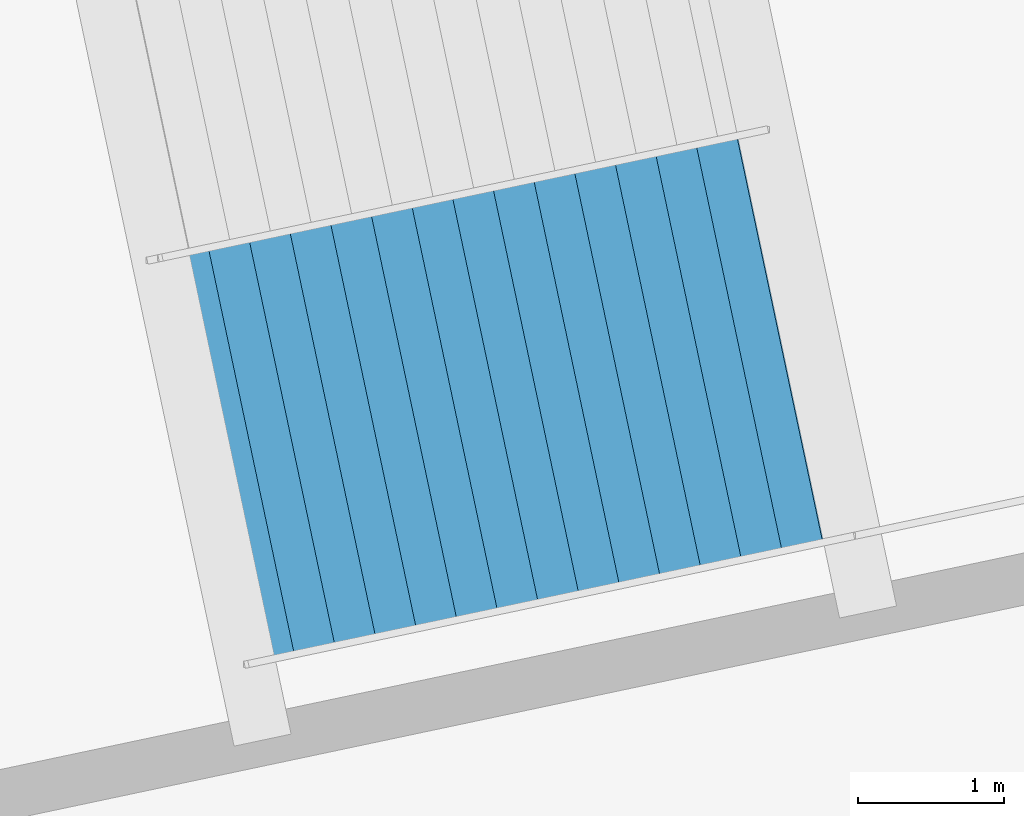
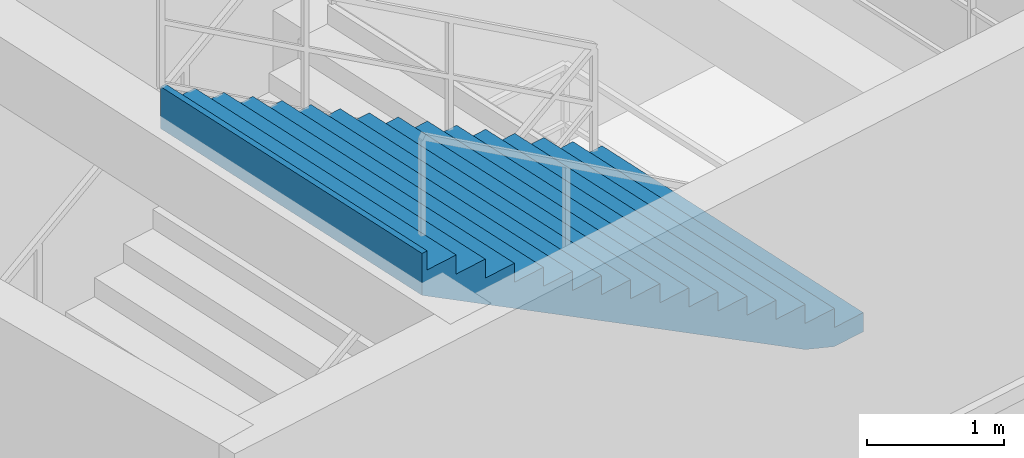
# One storey, part 149 of 186: 1 stair flight, 1 element without a shape of its own.
"""IFC4 building model written with IfcOpenShell, lengths in metres."""

from ifc_helpers import new_model, si_unit, direction, frame, origin, place, context, subcontext, project, spatial, polygons, material, type_object, element, aggregate, save


model = new_model("IFC4")

# Units and contexts
model_context = context("Model", 3, precision=1e-05, world=origin(), true_north=direction((0.0, 1.0)))
body_context = subcontext(model_context, "Body", "Model", "MODEL_VIEW")
ifc_project = project(units=[si_unit("LENGTHUNIT", "METRE"), si_unit("AREAUNIT", "SQUARE_METRE"), si_unit("VOLUMEUNIT", "CUBIC_METRE"), si_unit("PLANEANGLEUNIT", "RADIAN"), si_unit("MASSUNIT", "GRAM", prefix="KILO")], contexts=[model_context])

# Site, building, storey
site_placement = place(None, origin())
site = spatial("IfcSite", under=ifc_project, at=site_placement, CompositionType="ELEMENT")
building_placement = place(site_placement, origin())
building = spatial("IfcBuilding", under=site, at=building_placement, Name="Kazemori Nagisa Stadium", CompositionType="ELEMENT")
storey_placement = place(building_placement, frame((0.0, 0.0, 20.39990234375)))
storey = spatial("IfcBuildingStorey", under=building, at=storey_placement, Name="L04", CompositionType="ELEMENT", Elevation=20.39990234375)

# Stair, stair flight
ifc_material = material(Name="Concrete C36/45 (Fc36)", Category="concrete")
stair_type = type_object("IfcStairType", Name="Stair_CORE_32", PredefinedType="TWO_STRAIGHT_RUN_STAIR", material=ifc_material)
stair_placement = place(storey_placement, origin())
stair = element("IfcStair", 1, at=stair_placement, inside=storey, type_object=stair_type, Name="Exit stair ST06 L04", PredefinedType="TWO_STRAIGHT_RUN_STAIR")
stair_flight_type = type_object("IfcStairFlightType", Name="Flight_CORE_16", PredefinedType="STRAIGHT", material=ifc_material)
stair_flight_placement = place(storey_placement, frame((150.89306640625, 23.06591796875, 2.72021484375), z_axis=(0.0, 0.0, 1.0), x_axis=(-0.97834814647, -0.206965949612, 0.0)))
stair_flight = element("IfcStairFlight", 2, at=stair_flight_placement, type_object=stair_flight_type, Name="Exit stair ST06 L04 flight 2", NumberOfRisers=16, NumberOfTreads=15, PredefinedType="STRAIGHT", RiserHeight=0.17, TreadLength=0.285, context=body_context, shape_type="Tessellation", body=[
    polygons([(0.0, -1.425048828125, 0.0), (0.0, -1.425048828125, 0.169921875), (0.284912109375, -1.425048828125, 0.169921875), (0.284912109375, -1.425048828125, 0.340087890625), (0.570068359375, -1.425048828125, 0.340087890625), (0.570068359375, -1.425048828125, 0.510009765625), (0.85498046875, -1.425048828125, 0.510009765625), (0.85498046875, -1.425048828125, 0.679931640625), (1.139892578125, -1.425048828125, 0.679931640625), (1.139892578125, -1.425048828125, 0.85009765625), (1.425048828125, -1.425048828125, 0.85009765625), (1.425048828125, -1.425048828125, 1.02001953125), (1.7099609375, -1.425048828125, 1.02001953125), (1.7099609375, -1.425048828125, 1.18994140625), (1.9951171875, -1.425048828125, 1.18994140625), (1.9951171875, -1.425048828125, 1.360107421875), (2.280029296875, -1.425048828125, 1.360107421875), (2.280029296875, -1.425048828125, 1.530029296875), (2.56494140625, -1.425048828125, 1.530029296875), (2.56494140625, -1.425048828125, 1.699951171875), (2.85009765625, -1.425048828125, 1.699951171875), (2.85009765625, -1.425048828125, 1.8701171875), (3.135009765625, -1.425048828125, 1.8701171875), (3.135009765625, -1.425048828125, 2.0400390625), (3.419921875, -1.425048828125, 2.0400390625), (3.419921875, -1.425048828125, 2.2099609375), (3.705078125, -1.425048828125, 2.2099609375), (3.705078125, -1.425048828125, 2.3798828125), (3.989990234375, -1.425048828125, 2.3798828125), (3.989990234375, -1.425048828125, 2.550048828125), (4.27490234375, -1.425048828125, 2.550048828125), (4.27490234375, -1.425048828125, 2.719970703125), (4.324951171875, -1.425048828125, 2.719970703125), (4.324951171875, -1.425048828125, 2.346923828125), (4.27490234375, -1.425048828125, 2.317138671875), (3.989990234375, -1.425048828125, 2.147216796875), (3.705078125, -1.425048828125, 1.977294921875), (3.419921875, -1.425048828125, 1.80712890625), (3.135009765625, -1.425048828125, 1.63720703125), (2.85009765625, -1.425048828125, 1.46728515625), (2.56494140625, -1.425048828125, 1.297119140625), (2.280029296875, -1.425048828125, 1.127197265625), (1.9951171875, -1.425048828125, 0.957275390625), (1.7099609375, -1.425048828125, 0.787109375), (1.425048828125, -1.425048828125, 0.6171875), (1.139892578125, -1.425048828125, 0.447265625), (0.85498046875, -1.425048828125, 0.277099609375), (0.570068359375, -1.425048828125, 0.107177734375), (0.284912109375, -1.425048828125, 0.0), (0.0, -0.08544921875, 0.0), (0.0, -0.08544921875, 0.169921875), (0.284912109375, -0.08544921875, 0.169921875), (0.284912109375, -0.08544921875, 0.340087890625), (0.570068359375, -0.08544921875, 0.340087890625), (0.570068359375, -0.08544921875, 0.510009765625), (0.85498046875, -0.08544921875, 0.510009765625), (0.85498046875, -0.08544921875, 0.679931640625), (1.139892578125, -0.08544921875, 0.679931640625), (1.139892578125, -0.08544921875, 0.85009765625), (1.425048828125, -0.08544921875, 0.85009765625), (1.425048828125, -0.08544921875, 1.02001953125), (1.7099609375, -0.08544921875, 1.02001953125), (1.7099609375, -0.08544921875, 1.18994140625), (1.9951171875, -0.08544921875, 1.18994140625), (1.9951171875, -0.08544921875, 1.360107421875), (2.280029296875, -0.08544921875, 1.360107421875), (2.280029296875, -0.08544921875, 1.530029296875), (2.56494140625, -0.08544921875, 1.530029296875), (2.56494140625, -0.08544921875, 1.699951171875), (2.85009765625, -0.08544921875, 1.699951171875), (2.85009765625, -0.08544921875, 1.8701171875), (3.135009765625, -0.08544921875, 1.8701171875), (3.135009765625, -0.08544921875, 2.0400390625), (3.419921875, -0.08544921875, 2.0400390625), (3.419921875, -0.08544921875, 2.2099609375), (3.705078125, -0.08544921875, 2.2099609375), (3.705078125, -0.08544921875, 2.3798828125), (3.989990234375, -0.08544921875, 2.3798828125), (3.989990234375, -0.08544921875, 2.550048828125), (4.27490234375, -0.08544921875, 2.550048828125), (4.27490234375, -0.08544921875, 2.719970703125), (4.324951171875, -0.08544921875, 2.719970703125), (4.324951171875, -0.08544921875, 2.346923828125), (4.27490234375, -0.08544921875, 2.317138671875), (3.989990234375, -0.08544921875, 2.147216796875), (3.705078125, -0.08544921875, 1.977294921875), (3.419921875, -0.08544921875, 1.80712890625), (3.135009765625, -0.08544921875, 1.63720703125), (2.85009765625, -0.08544921875, 1.46728515625), (2.56494140625, -0.08544921875, 1.297119140625), (2.280029296875, -0.08544921875, 1.127197265625), (1.9951171875, -0.08544921875, 0.957275390625), (1.7099609375, -0.08544921875, 0.787109375), (1.425048828125, -0.08544921875, 0.6171875), (1.139892578125, -0.08544921875, 0.447265625), (0.85498046875, -0.08544921875, 0.277099609375), (0.570068359375, -0.08544921875, 0.107177734375), (0.284912109375, -0.08544921875, 0.0), (0.0, 0.0, 0.0), (0.0, 0.0, 0.169921875), (0.284912109375, 0.0, 0.169921875), (0.284912109375, 0.0, 0.340087890625), (0.570068359375, 0.0, 0.340087890625), (0.570068359375, 0.0, 0.510009765625), (0.85498046875, 0.0, 0.510009765625), (0.85498046875, 0.0, 0.679931640625), (1.139892578125, 0.0, 0.679931640625), (1.139892578125, 0.0, 0.85009765625), (1.425048828125, 0.0, 0.85009765625), (1.425048828125, 0.0, 1.02001953125), (1.7099609375, 0.0, 1.02001953125), (1.7099609375, 0.0, 1.18994140625), (1.9951171875, 0.0, 1.18994140625), (1.9951171875, 0.0, 1.360107421875), (2.280029296875, 0.0, 1.360107421875), (2.280029296875, 0.0, 1.530029296875), (2.56494140625, 0.0, 1.530029296875), (2.56494140625, 0.0, 1.699951171875), (2.85009765625, 0.0, 1.699951171875), (2.85009765625, 0.0, 1.8701171875), (3.135009765625, 0.0, 1.8701171875), (3.135009765625, 0.0, 2.0400390625), (3.419921875, 0.0, 2.0400390625), (3.419921875, 0.0, 2.2099609375), (3.705078125, 0.0, 2.2099609375), (3.705078125, 0.0, 2.3798828125), (3.989990234375, 0.0, 2.3798828125), (3.989990234375, 0.0, 2.550048828125), (4.27490234375, 0.0, 2.550048828125), (4.27490234375, 0.0, 2.719970703125), (4.324951171875, 0.0, 2.719970703125), (4.324951171875, 0.0, 2.346923828125), (4.27490234375, 0.0, 2.317138671875), (3.989990234375, 0.0, 2.147216796875), (3.705078125, 0.0, 1.977294921875), (3.419921875, 0.0, 1.80712890625), (3.135009765625, 0.0, 1.63720703125), (2.85009765625, 0.0, 1.46728515625), (2.56494140625, 0.0, 1.297119140625), (2.280029296875, 0.0, 1.127197265625), (1.9951171875, 0.0, 0.957275390625), (1.7099609375, 0.0, 0.787109375), (1.425048828125, 0.0, 0.6171875), (1.139892578125, 0.0, 0.447265625), (0.85498046875, 0.0, 0.277099609375), (0.570068359375, 0.0, 0.107177734375), (0.284912109375, 0.0, 0.0), (0.0, 0.08544921875, 0.0), (0.0, 0.08544921875, 0.169921875), (0.284912109375, 0.08544921875, 0.169921875), (0.284912109375, 0.08544921875, 0.340087890625), (0.570068359375, 0.08544921875, 0.340087890625), (0.570068359375, 0.08544921875, 0.510009765625), (0.85498046875, 0.08544921875, 0.510009765625), (0.85498046875, 0.08544921875, 0.679931640625), (1.139892578125, 0.08544921875, 0.679931640625), (1.139892578125, 0.08544921875, 0.85009765625), (1.425048828125, 0.08544921875, 0.85009765625), (1.425048828125, 0.08544921875, 1.02001953125), (1.7099609375, 0.08544921875, 1.02001953125), (1.7099609375, 0.08544921875, 1.18994140625), (1.9951171875, 0.08544921875, 1.18994140625), (1.9951171875, 0.08544921875, 1.360107421875), (2.280029296875, 0.08544921875, 1.360107421875), (2.280029296875, 0.08544921875, 1.530029296875), (2.56494140625, 0.08544921875, 1.530029296875), (2.56494140625, 0.08544921875, 1.699951171875), (2.85009765625, 0.08544921875, 1.699951171875), (2.85009765625, 0.08544921875, 1.8701171875), (3.135009765625, 0.08544921875, 1.8701171875), (3.135009765625, 0.08544921875, 2.0400390625), (3.419921875, 0.08544921875, 2.0400390625), (3.419921875, 0.08544921875, 2.2099609375), (3.705078125, 0.08544921875, 2.2099609375), (3.705078125, 0.08544921875, 2.3798828125), (3.989990234375, 0.08544921875, 2.3798828125), (3.989990234375, 0.08544921875, 2.550048828125), (4.27490234375, 0.08544921875, 2.550048828125), (4.27490234375, 0.08544921875, 2.719970703125), (4.324951171875, 0.08544921875, 2.719970703125), (4.324951171875, 0.08544921875, 2.346923828125), (4.27490234375, 0.08544921875, 2.317138671875), (3.989990234375, 0.08544921875, 2.147216796875), (3.705078125, 0.08544921875, 1.977294921875), (3.419921875, 0.08544921875, 1.80712890625), (3.135009765625, 0.08544921875, 1.63720703125), (2.85009765625, 0.08544921875, 1.46728515625), (2.56494140625, 0.08544921875, 1.297119140625), (2.280029296875, 0.08544921875, 1.127197265625), (1.9951171875, 0.08544921875, 0.957275390625), (1.7099609375, 0.08544921875, 0.787109375), (1.425048828125, 0.08544921875, 0.6171875), (1.139892578125, 0.08544921875, 0.447265625), (0.85498046875, 0.08544921875, 0.277099609375), (0.570068359375, 0.08544921875, 0.107177734375), (0.284912109375, 0.08544921875, 0.0), (0.0, 1.425048828125, 0.0), (0.0, 1.425048828125, 0.169921875), (0.284912109375, 1.425048828125, 0.169921875), (0.284912109375, 1.425048828125, 0.340087890625), (0.570068359375, 1.425048828125, 0.340087890625), (0.570068359375, 1.425048828125, 0.510009765625), (0.85498046875, 1.425048828125, 0.510009765625), (0.85498046875, 1.425048828125, 0.679931640625), (1.139892578125, 1.425048828125, 0.679931640625), (1.139892578125, 1.425048828125, 0.85009765625), (1.425048828125, 1.425048828125, 0.85009765625), (1.425048828125, 1.425048828125, 1.02001953125), (1.7099609375, 1.425048828125, 1.02001953125), (1.7099609375, 1.425048828125, 1.18994140625), (1.9951171875, 1.425048828125, 1.18994140625), (1.9951171875, 1.425048828125, 1.360107421875), (2.280029296875, 1.425048828125, 1.360107421875), (2.280029296875, 1.425048828125, 1.530029296875), (2.56494140625, 1.425048828125, 1.530029296875), (2.56494140625, 1.425048828125, 1.699951171875), (2.85009765625, 1.425048828125, 1.699951171875), (2.85009765625, 1.425048828125, 1.8701171875), (3.135009765625, 1.425048828125, 1.8701171875), (3.135009765625, 1.425048828125, 2.0400390625), (3.419921875, 1.425048828125, 2.0400390625), (3.419921875, 1.425048828125, 2.2099609375), (3.705078125, 1.425048828125, 2.2099609375), (3.705078125, 1.425048828125, 2.3798828125), (3.989990234375, 1.425048828125, 2.3798828125), (3.989990234375, 1.425048828125, 2.550048828125), (4.27490234375, 1.425048828125, 2.550048828125), (4.27490234375, 1.425048828125, 2.719970703125), (4.324951171875, 1.425048828125, 2.719970703125), (4.324951171875, 1.425048828125, 2.346923828125), (4.27490234375, 1.425048828125, 2.317138671875), (3.989990234375, 1.425048828125, 2.147216796875), (3.705078125, 1.425048828125, 1.977294921875), (3.419921875, 1.425048828125, 1.80712890625), (3.135009765625, 1.425048828125, 1.63720703125), (2.85009765625, 1.425048828125, 1.46728515625), (2.56494140625, 1.425048828125, 1.297119140625), (2.280029296875, 1.425048828125, 1.127197265625), (1.9951171875, 1.425048828125, 0.957275390625), (1.7099609375, 1.425048828125, 0.787109375), (1.425048828125, 1.425048828125, 0.6171875), (1.139892578125, 1.425048828125, 0.447265625), (0.85498046875, 1.425048828125, 0.277099609375), (0.570068359375, 1.425048828125, 0.107177734375), (0.284912109375, 1.425048828125, 0.0)], [[[1, 2, 51]], [[1, 51, 50]], [[2, 3, 52]], [[2, 52, 51]], [[3, 4, 53]], [[3, 53, 52]], [[4, 5, 54]], [[4, 54, 53]], [[5, 6, 55]], [[5, 55, 54]], [[6, 7, 56]], [[6, 56, 55]], [[7, 8, 57]], [[7, 57, 56]], [[8, 9, 58]], [[8, 58, 57]], [[9, 10, 59]], [[9, 59, 58]], [[10, 11, 60]], [[10, 60, 59]], [[11, 12, 61]], [[11, 61, 60]], [[12, 13, 62]], [[12, 62, 61]], [[13, 14, 63]], [[13, 63, 62]], [[14, 15, 64]], [[14, 64, 63]], [[15, 16, 65]], [[15, 65, 64]], [[16, 17, 66]], [[16, 66, 65]], [[17, 18, 67]], [[17, 67, 66]], [[18, 19, 68]], [[18, 68, 67]], [[19, 20, 69]], [[19, 69, 68]], [[20, 21, 70]], [[20, 70, 69]], [[21, 22, 71]], [[21, 71, 70]], [[22, 23, 72]], [[22, 72, 71]], [[23, 24, 73]], [[23, 73, 72]], [[24, 25, 74]], [[24, 74, 73]], [[25, 26, 75]], [[25, 75, 74]], [[26, 27, 76]], [[26, 76, 75]], [[27, 28, 77]], [[27, 77, 76]], [[28, 29, 78]], [[28, 78, 77]], [[29, 30, 79]], [[29, 79, 78]], [[30, 31, 80]], [[30, 80, 79]], [[31, 32, 81]], [[31, 81, 80]], [[32, 33, 82]], [[32, 82, 81]], [[33, 34, 83]], [[33, 83, 82]], [[34, 35, 84]], [[34, 84, 83]], [[35, 36, 85]], [[35, 85, 84]], [[36, 37, 86]], [[36, 86, 85]], [[37, 38, 87]], [[37, 87, 86]], [[38, 39, 88]], [[38, 88, 87]], [[39, 40, 89]], [[39, 89, 88]], [[40, 41, 90]], [[40, 90, 89]], [[41, 42, 91]], [[41, 91, 90]], [[42, 43, 92]], [[42, 92, 91]], [[43, 44, 93]], [[43, 93, 92]], [[44, 45, 94]], [[44, 94, 93]], [[45, 46, 95]], [[45, 95, 94]], [[46, 47, 96]], [[46, 96, 95]], [[47, 48, 97]], [[47, 97, 96]], [[48, 49, 98]], [[48, 98, 97]], [[49, 1, 50]], [[49, 50, 98]], [[50, 51, 100]], [[50, 100, 99]], [[51, 52, 101]], [[51, 101, 100]], [[52, 53, 102]], [[52, 102, 101]], [[53, 54, 103]], [[53, 103, 102]], [[54, 55, 104]], [[54, 104, 103]], [[55, 56, 105]], [[55, 105, 104]], [[56, 57, 106]], [[56, 106, 105]], [[57, 58, 107]], [[57, 107, 106]], [[58, 59, 108]], [[58, 108, 107]], [[59, 60, 109]], [[59, 109, 108]], [[60, 61, 110]], [[60, 110, 109]], [[61, 62, 111]], [[61, 111, 110]], [[62, 63, 112]], [[62, 112, 111]], [[63, 64, 113]], [[63, 113, 112]], [[64, 65, 114]], [[64, 114, 113]], [[65, 66, 115]], [[65, 115, 114]], [[66, 67, 116]], [[66, 116, 115]], [[67, 68, 117]], [[67, 117, 116]], [[68, 69, 118]], [[68, 118, 117]], [[69, 70, 119]], [[69, 119, 118]], [[70, 71, 120]], [[70, 120, 119]], [[71, 72, 121]], [[71, 121, 120]], [[72, 73, 122]], [[72, 122, 121]], [[73, 74, 123]], [[73, 123, 122]], [[74, 75, 124]], [[74, 124, 123]], [[75, 76, 125]], [[75, 125, 124]], [[76, 77, 126]], [[76, 126, 125]], [[77, 78, 127]], [[77, 127, 126]], [[78, 79, 128]], [[78, 128, 127]], [[79, 80, 129]], [[79, 129, 128]], [[80, 81, 130]], [[80, 130, 129]], [[81, 82, 131]], [[81, 131, 130]], [[82, 83, 132]], [[82, 132, 131]], [[83, 84, 133]], [[83, 133, 132]], [[84, 85, 134]], [[84, 134, 133]], [[85, 86, 135]], [[85, 135, 134]], [[86, 87, 136]], [[86, 136, 135]], [[87, 88, 137]], [[87, 137, 136]], [[88, 89, 138]], [[88, 138, 137]], [[89, 90, 139]], [[89, 139, 138]], [[90, 91, 140]], [[90, 140, 139]], [[91, 92, 141]], [[91, 141, 140]], [[92, 93, 142]], [[92, 142, 141]], [[93, 94, 143]], [[93, 143, 142]], [[94, 95, 144]], [[94, 144, 143]], [[95, 96, 145]], [[95, 145, 144]], [[96, 97, 146]], [[96, 146, 145]], [[97, 98, 147]], [[97, 147, 146]], [[98, 50, 99]], [[98, 99, 147]], [[99, 100, 149]], [[99, 149, 148]], [[100, 101, 150]], [[100, 150, 149]], [[101, 102, 151]], [[101, 151, 150]], [[102, 103, 152]], [[102, 152, 151]], [[103, 104, 153]], [[103, 153, 152]], [[104, 105, 154]], [[104, 154, 153]], [[105, 106, 155]], [[105, 155, 154]], [[106, 107, 156]], [[106, 156, 155]], [[107, 108, 157]], [[107, 157, 156]], [[108, 109, 158]], [[108, 158, 157]], [[109, 110, 159]], [[109, 159, 158]], [[110, 111, 160]], [[110, 160, 159]], [[111, 112, 161]], [[111, 161, 160]], [[112, 113, 162]], [[112, 162, 161]], [[113, 114, 163]], [[113, 163, 162]], [[114, 115, 164]], [[114, 164, 163]], [[115, 116, 165]], [[115, 165, 164]], [[116, 117, 166]], [[116, 166, 165]], [[117, 118, 167]], [[117, 167, 166]], [[118, 119, 168]], [[118, 168, 167]], [[119, 120, 169]], [[119, 169, 168]], [[120, 121, 170]], [[120, 170, 169]], [[121, 122, 171]], [[121, 171, 170]], [[122, 123, 172]], [[122, 172, 171]], [[123, 124, 173]], [[123, 173, 172]], [[124, 125, 174]], [[124, 174, 173]], [[125, 126, 175]], [[125, 175, 174]], [[126, 127, 176]], [[126, 176, 175]], [[127, 128, 177]], [[127, 177, 176]], [[128, 129, 178]], [[128, 178, 177]], [[129, 130, 179]], [[129, 179, 178]], [[130, 131, 180]], [[130, 180, 179]], [[131, 132, 181]], [[131, 181, 180]], [[132, 133, 182]], [[132, 182, 181]], [[133, 134, 183]], [[133, 183, 182]], [[134, 135, 184]], [[134, 184, 183]], [[135, 136, 185]], [[135, 185, 184]], [[136, 137, 186]], [[136, 186, 185]], [[137, 138, 187]], [[137, 187, 186]], [[138, 139, 188]], [[138, 188, 187]], [[139, 140, 189]], [[139, 189, 188]], [[140, 141, 190]], [[140, 190, 189]], [[141, 142, 191]], [[141, 191, 190]], [[142, 143, 192]], [[142, 192, 191]], [[143, 144, 193]], [[143, 193, 192]], [[144, 145, 194]], [[144, 194, 193]], [[145, 146, 195]], [[145, 195, 194]], [[146, 147, 196]], [[146, 196, 195]], [[147, 99, 148]], [[147, 148, 196]], [[148, 149, 198]], [[148, 198, 197]], [[149, 150, 199]], [[149, 199, 198]], [[150, 151, 200]], [[150, 200, 199]], [[151, 152, 201]], [[151, 201, 200]], [[152, 153, 202]], [[152, 202, 201]], [[153, 154, 203]], [[153, 203, 202]], [[154, 155, 204]], [[154, 204, 203]], [[155, 156, 205]], [[155, 205, 204]], [[156, 157, 206]], [[156, 206, 205]], [[157, 158, 207]], [[157, 207, 206]], [[158, 159, 208]], [[158, 208, 207]], [[159, 160, 209]], [[159, 209, 208]], [[160, 161, 210]], [[160, 210, 209]], [[161, 162, 211]], [[161, 211, 210]], [[162, 163, 212]], [[162, 212, 211]], [[163, 164, 213]], [[163, 213, 212]], [[164, 165, 214]], [[164, 214, 213]], [[165, 166, 215]], [[165, 215, 214]], [[166, 167, 216]], [[166, 216, 215]], [[167, 168, 217]], [[167, 217, 216]], [[168, 169, 218]], [[168, 218, 217]], [[169, 170, 219]], [[169, 219, 218]], [[170, 171, 220]], [[170, 220, 219]], [[171, 172, 221]], [[171, 221, 220]], [[172, 173, 222]], [[172, 222, 221]], [[173, 174, 223]], [[173, 223, 222]], [[174, 175, 224]], [[174, 224, 223]], [[175, 176, 225]], [[175, 225, 224]], [[176, 177, 226]], [[176, 226, 225]], [[177, 178, 227]], [[177, 227, 226]], [[178, 179, 228]], [[178, 228, 227]], [[179, 180, 229]], [[179, 229, 228]], [[180, 181, 230]], [[180, 230, 229]], [[181, 182, 231]], [[181, 231, 230]], [[182, 183, 232]], [[182, 232, 231]], [[183, 184, 233]], [[183, 233, 232]], [[184, 185, 234]], [[184, 234, 233]], [[185, 186, 235]], [[185, 235, 234]], [[186, 187, 236]], [[186, 236, 235]], [[187, 188, 237]], [[187, 237, 236]], [[188, 189, 238]], [[188, 238, 237]], [[189, 190, 239]], [[189, 239, 238]], [[190, 191, 240]], [[190, 240, 239]], [[191, 192, 241]], [[191, 241, 240]], [[192, 193, 242]], [[192, 242, 241]], [[193, 194, 243]], [[193, 243, 242]], [[194, 195, 244]], [[194, 244, 243]], [[195, 196, 245]], [[195, 245, 244]], [[196, 148, 197]], [[196, 197, 245]], [[3, 2, 1]], [[197, 198, 199]], [[49, 3, 1]], [[197, 199, 245]], [[48, 3, 49]], [[245, 199, 244]], [[5, 3, 48]], [[244, 199, 201]], [[5, 4, 3]], [[199, 200, 201]], [[47, 5, 48]], [[244, 201, 243]], [[7, 5, 47]], [[243, 201, 203]], [[7, 6, 5]], [[201, 202, 203]], [[46, 7, 47]], [[243, 203, 242]], [[9, 7, 46]], [[242, 203, 205]], [[9, 8, 7]], [[203, 204, 205]], [[45, 9, 46]], [[242, 205, 241]], [[11, 9, 45]], [[241, 205, 207]], [[11, 10, 9]], [[205, 206, 207]], [[44, 11, 45]], [[241, 207, 240]], [[13, 11, 44]], [[240, 207, 209]], [[13, 12, 11]], [[207, 208, 209]], [[43, 13, 44]], [[240, 209, 239]], [[15, 13, 43]], [[239, 209, 211]], [[15, 14, 13]], [[209, 210, 211]], [[42, 15, 43]], [[239, 211, 238]], [[17, 15, 42]], [[238, 211, 213]], [[17, 16, 15]], [[211, 212, 213]], [[41, 17, 42]], [[238, 213, 237]], [[19, 17, 41]], [[237, 213, 215]], [[19, 18, 17]], [[213, 214, 215]], [[40, 19, 41]], [[237, 215, 236]], [[21, 19, 40]], [[236, 215, 217]], [[21, 20, 19]], [[215, 216, 217]], [[39, 21, 40]], [[236, 217, 235]], [[23, 21, 39]], [[235, 217, 219]], [[23, 22, 21]], [[217, 218, 219]], [[38, 23, 39]], [[235, 219, 234]], [[25, 23, 38]], [[234, 219, 221]], [[25, 24, 23]], [[219, 220, 221]], [[37, 25, 38]], [[234, 221, 233]], [[27, 25, 37]], [[233, 221, 223]], [[27, 26, 25]], [[221, 222, 223]], [[36, 27, 37]], [[233, 223, 232]], [[29, 27, 36]], [[232, 223, 225]], [[29, 28, 27]], [[223, 224, 225]], [[35, 29, 36]], [[232, 225, 231]], [[31, 29, 35]], [[231, 225, 227]], [[31, 30, 29]], [[225, 226, 227]], [[34, 31, 35]], [[231, 227, 230]], [[33, 31, 34]], [[230, 227, 229]], [[33, 32, 31]], [[227, 228, 229]]], closed=True),
])
aggregate(stair, [stair_flight])

save(model, "model.ifc")
